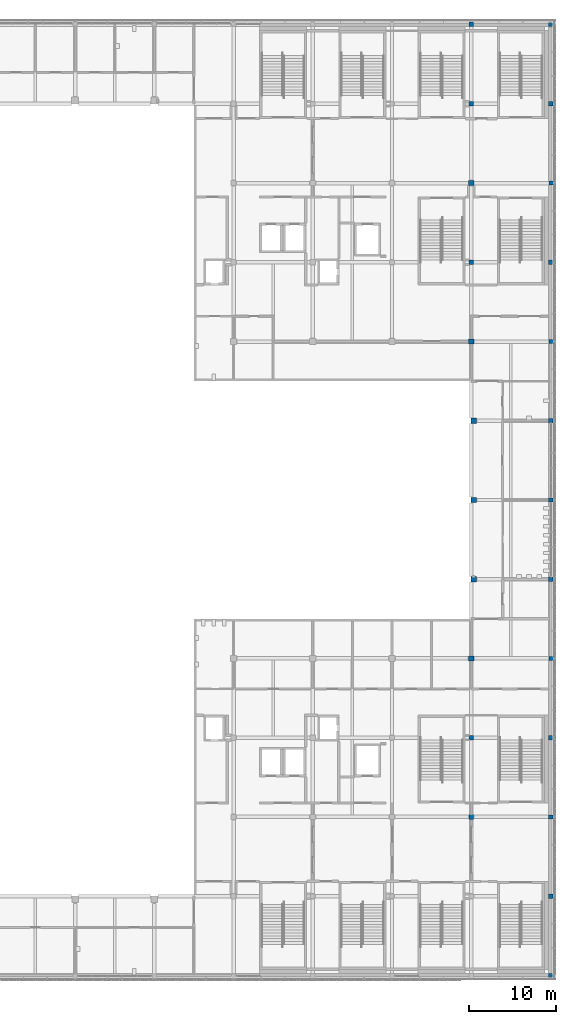
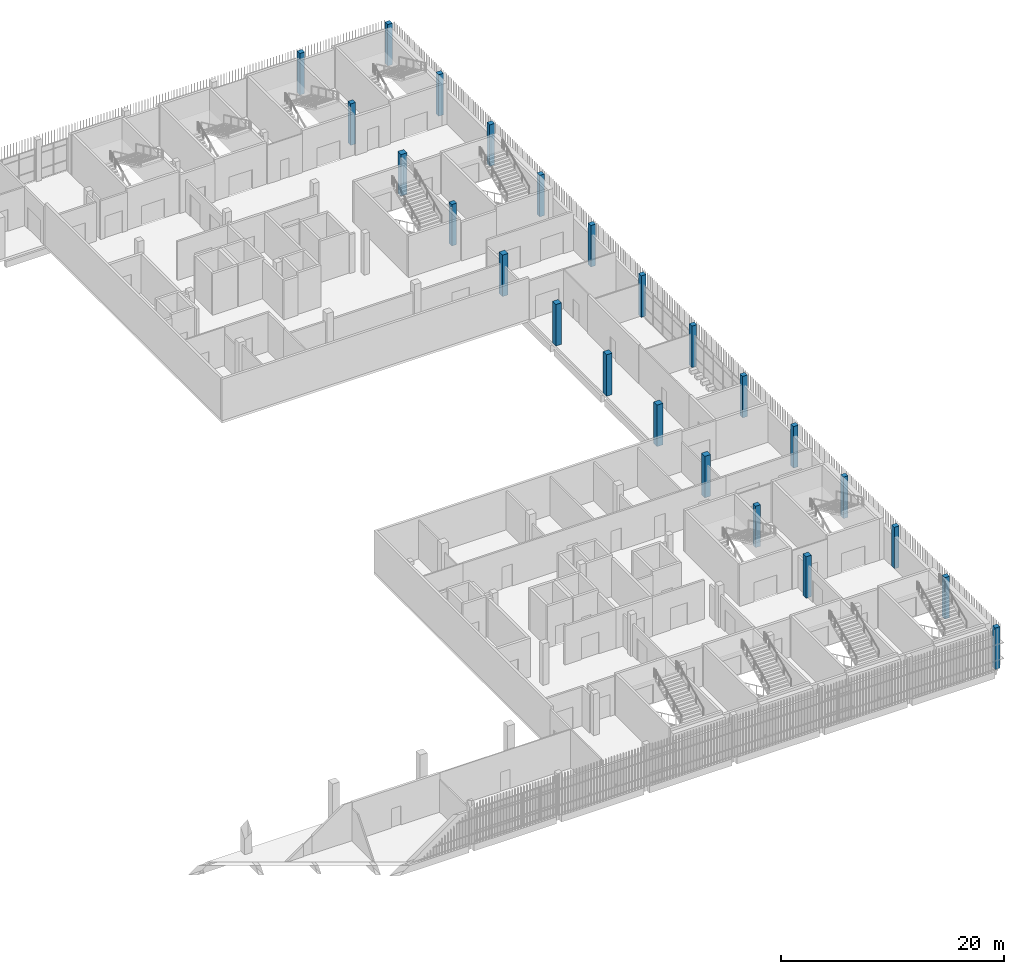
# One storey, part 2 of 124: 24 columns.
"""IFC4 building model written with IfcOpenShell, lengths in metres."""

from ifc_helpers import new_model, si_unit, direction, frame, origin, origin_2d, place, context, subcontext, project, spatial, rectangle, extrude, material, material_profile, profile_set, type_object, element, save


model = new_model("IFC4")

# Units and contexts
model_context = context("Model", 3, precision=1e-05, world=origin(), true_north=direction((0.0, 1.0)))
body_context = subcontext(model_context, "Body", "Model", "MODEL_VIEW")
ifc_project = project(units=[si_unit("LENGTHUNIT", "METRE"), si_unit("AREAUNIT", "SQUARE_METRE"), si_unit("VOLUMEUNIT", "CUBIC_METRE"), si_unit("PLANEANGLEUNIT", "RADIAN"), si_unit("MASSUNIT", "GRAM", prefix="KILO")], contexts=[model_context])

# Site, building, storey
site_placement = place(None, origin())
site = spatial("IfcSite", under=ifc_project, at=site_placement, CompositionType="ELEMENT")
building_placement = place(site_placement, origin())
building = spatial("IfcBuilding", under=site, at=building_placement, Name="Shirokan Park Arena", CompositionType="ELEMENT")
storey_placement = place(building_placement, frame((0.0, 0.0, 20.02001953125)))
storey = spatial("IfcBuildingStorey", under=building, at=storey_placement, Name="L04", CompositionType="ELEMENT", Elevation=20.02001953125)

# Columns
ifc_material = material(Name="Concrete C35", Category="concrete")
ifc_material_profile_1 = material_profile(ifc_material, rectangle(XDim=0.5, YDim=0.5, at=origin_2d()), Name="500x500")
ifc_profile_set_1 = profile_set([ifc_material_profile_1], Name="Concrete C35")
column_type_1 = type_object("IfcColumnType", Name="RC column 500x500", PredefinedType="COLUMN", material=ifc_profile_set_1)
for number, where, z_axis, x_axis, name in (
    (1, (136.5, 27.300048828125, 0.0), (0.0, 0.0, 1.0), (1.0, 0.0, 0.0), "Column 16D L04"),
    (2, (136.5, 81.89990234375, 0.0), (0.0, 0.0, 1.0), (1.0, 0.0, 0.0), "Column 16K L04"),
    (3, (136.5, 100.10009765625, 0.0), (0.0, 0.0, 1.0), (1.0, 0.0, 0.0), "Column 16M L04"),
    (4, (136.5, 109.22509765625, 0.0), (0.0, 0.0, 1.0), (1.0, 0.0, 0.0), "Column 16N L04"),
    (5, (145.60009765625, 0.0, 0.0), (0.0, 0.0, 1.0), (1.0, 0.0, 0.0), "Column 17A L04"),
    (6, (145.625, 9.10009765625, 0.0), (0.0, 0.0, 1.0), (1.0, 0.0, 0.0), "Column 17B L04"),
    (7, (145.64990234375, 18.199951171875, 0.0), (0.0, 0.0, 1.0), (1.0, 0.0, 0.0), "Column 17C L04"),
    (8, (145.60009765625, 27.300048828125, 0.0), (0.0, 0.0, 1.0), (1.0, 0.0, 0.0), "Column 17D L04"),
    (9, (145.675048828125, 36.39990234375, 0.0), (0.0, 0.0, 1.0), (1.0, 0.0, 0.0), "Column 17E L04"),
    (10, (145.64990234375, 45.5, 0.0), (0.0, 0.0, 1.0), (1.0, 0.0, 0.0), "Column 17F L04"),
    (11, (145.64990234375, 54.60009765625, 0.0), (0.0, 0.0, 1.0), (1.0, 0.0, 0.0), "Column 17G L04"),
    (12, (145.64990234375, 63.699951171875, 0.0), (0.0, 0.0, 1.0), (1.0, 0.0, 0.0), "Column 17H L04"),
    (13, (145.675048828125, 72.800048828125, 0.0), (0.0, 0.0, 1.0), (1.0, 0.0, 0.0), "Column 17J L04"),
    (14, (145.60009765625, 81.89990234375, 0.0), (0.0, 0.0, 1.0), (1.0, 0.0, 0.0), "Column 17K L04"),
    (15, (145.675048828125, 91.0, 0.0), (0.0, 0.0, 1.0), (1.0, 0.0, 0.0), "Column 17L L04"),
    (16, (145.625, 100.10009765625, 0.0), (0.0, 0.0, 1.0), (1.0, 0.0, 0.0), "Column 17M L04"),
    (17, (145.60009765625, 109.199951171875, 0.0), (0.0, 0.0, 1.0), (1.0, 0.0, 0.0), "Column 17N L04"),
):
    element("IfcColumn", number, at=place(storey_placement, frame(where, z_axis=z_axis, x_axis=x_axis)), inside=storey, type_object=column_type_1, Name=name, PredefinedType="COLUMN", context=body_context, shape_type="SweptSolid", body=[
        extrude(rectangle(XDim=0.5, YDim=0.5, at=origin_2d()), origin(), (0.0, 0.0, 1.0), 4.550048828125),
    ])
ifc_material_profile_2 = material_profile(ifc_material, rectangle(XDim=0.550048828125, YDim=0.550048828125, at=origin_2d()), Name="550x550")
ifc_profile_set_2 = profile_set([ifc_material_profile_2], Name="Concrete C35")
column_type_2 = type_object("IfcColumnType", Name="RC column 550x550", PredefinedType="COLUMN", material=ifc_profile_set_2)
column_placement = place(storey_placement, frame((136.5, 18.199951171875, 0.0), z_axis=(0.0, 0.0, 1.0), x_axis=(1.0, 0.0, 0.0)))
element("IfcColumn", 18, at=column_placement, inside=storey, type_object=column_type_2, Name="Column 16C L04", PredefinedType="COLUMN", context=body_context, shape_type="SweptSolid", body=[
    extrude(rectangle(XDim=0.550048828125, YDim=0.550048828125, at=origin_2d()), origin(), (0.0, 0.0, 1.0), 4.550048828125),
])
ifc_material_profile_3 = material_profile(ifc_material, rectangle(XDim=0.60009765625, YDim=0.60009765625, at=origin_2d()), Name="600x600")
ifc_profile_set_3 = profile_set([ifc_material_profile_3], Name="Concrete C35")
column_type_3 = type_object("IfcColumnType", Name="RC column 600x600", PredefinedType="COLUMN", material=ifc_profile_set_3)
for number, where, z_axis, x_axis, name in (
    (19, (136.5, 36.39990234375, 0.0), (0.0, 0.0, 1.0), (1.0, 0.0, 0.0), "Column 16E L04"),
    (20, (136.800048828125, 45.5, 0.0), (0.0, 0.0, 1.0), (1.0, 0.0, 0.0), "Column 16F L04"),
    (21, (136.800048828125, 54.60009765625, 0.0), (0.0, 0.0, 1.0), (1.0, 0.0, 0.0), "Column 16G L04"),
    (22, (136.800048828125, 63.699951171875, 0.0), (0.0, 0.0, 1.0), (1.0, 0.0, 0.0), "Column 16H L04"),
    (23, (136.5, 72.800048828125, 0.0), (0.0, 0.0, 1.0), (1.0, 0.0, 0.0), "Column 16J L04"),
    (24, (136.5, 91.0, 0.0), (0.0, 0.0, 1.0), (1.0, 0.0, 0.0), "Column 16L L04"),
):
    element("IfcColumn", number, at=place(storey_placement, frame(where, z_axis=z_axis, x_axis=x_axis)), inside=storey, type_object=column_type_3, Name=name, PredefinedType="COLUMN", context=body_context, shape_type="SweptSolid", body=[
        extrude(rectangle(XDim=0.60009765625, YDim=0.60009765625, at=origin_2d()), origin(), (0.0, 0.0, 1.0), 4.550048828125),
    ])

save(model, "model.ifc")
